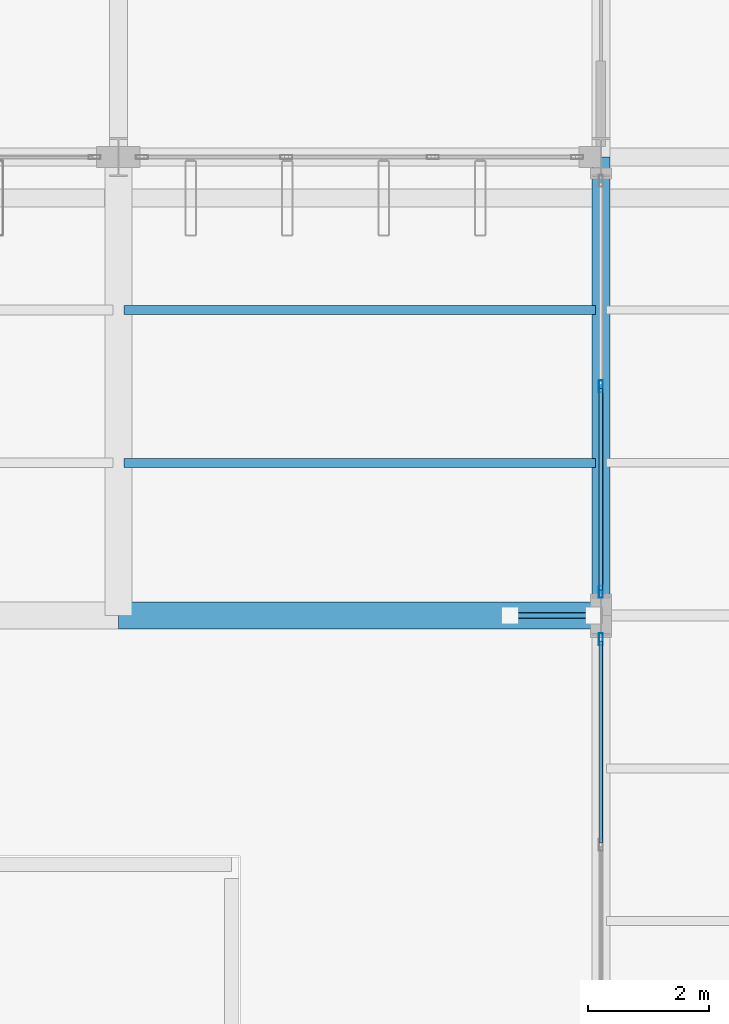
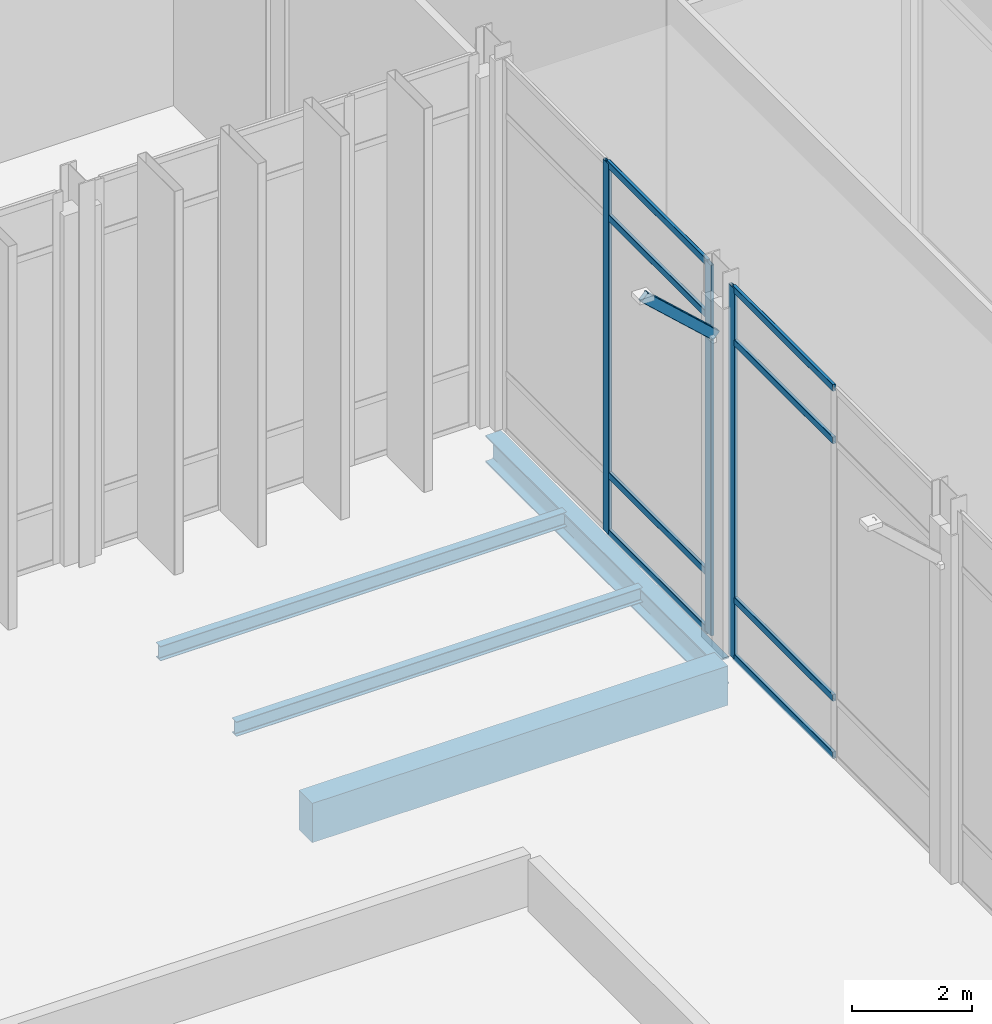
# One storey, part 46 of 176: 12 members, 4 beams, 2 elements without a shape of their own.
"""IFC4 building model written with IfcOpenShell, lengths in metres."""

from ifc_helpers import new_model, si_unit, direction, frame, origin, origin_2d, place, context, subcontext, project, spatial, rectangle, hollow_rectangle, i_section, extrude, material, layer, layer_set, material_profile, profile_set, type_object, element, aggregate, save


model = new_model("IFC4")

# Units and contexts
model_context = context("Model", 3, precision=1e-05, world=origin(), true_north=direction((0.0, 1.0)))
body_context = subcontext(model_context, "Body", "Model", "MODEL_VIEW")
ifc_project = project(units=[si_unit("LENGTHUNIT", "METRE"), si_unit("AREAUNIT", "SQUARE_METRE"), si_unit("VOLUMEUNIT", "CUBIC_METRE"), si_unit("PLANEANGLEUNIT", "RADIAN"), si_unit("MASSUNIT", "GRAM", prefix="KILO")], contexts=[model_context])

# Site, building, storey
site_placement = place(None, origin())
site = spatial("IfcSite", under=ifc_project, at=site_placement, CompositionType="ELEMENT")
building_placement = place(site_placement, origin())
building = spatial("IfcBuilding", under=site, at=building_placement, Name="Vekula Escarpment Museum", CompositionType="ELEMENT")
storey_placement = place(building_placement, origin())
storey = spatial("IfcBuildingStorey", under=building, at=storey_placement, Name="L01", CompositionType="ELEMENT", Elevation=0.0)

# Beams
ifc_material_1 = material(Name="Steel S355", Category="steel")
ifc_material_profile_1 = material_profile(ifc_material_1, i_section(OverallWidth=0.300048828125, OverallDepth=0.550048828125, WebThickness=0.014892578125, FlangeThickness=0.029052734375, FilletRadius=0.027099609375, at=origin_2d()), Name="HEB 550")
ifc_profile_set_1 = profile_set([ifc_material_profile_1], Name="Steel S355")
beam_type_1 = type_object("IfcBeamType", Name="BM-GIRD-HEB550", PredefinedType="BEAM", material=ifc_profile_set_1)
beam_1_placement = place(storey_placement, frame((94.0, 38.0, -0.574951171875), z_axis=(0.0, 1.0, 0.0), x_axis=(-1.0, 0.0, 0.0)))
element("IfcBeam", 1, at=beam_1_placement, inside=storey, type_object=beam_type_1, Name="Beam Y L01 0581", PredefinedType="BEAM", context=body_context, shape_type="SweptSolid", body=[
    extrude(i_section(OverallWidth=0.300048828125, OverallDepth=0.550048828125, WebThickness=0.014892578125, FlangeThickness=0.029052734375, FilletRadius=0.027099609375, at=origin_2d()), origin(), (0.0, 0.0, 1.0), 7.60009765625),
])
ifc_material_2 = material(Name="Steel S355", Category="steel")
ifc_material_profile_2 = material_profile(ifc_material_2, i_section(OverallWidth=0.14990234375, OverallDepth=0.300048828125, WebThickness=0.007080078125, FlangeThickness=0.0107421875, FilletRadius=0.014892578125, at=origin_2d()), Name="IPE 300")
ifc_profile_set_2 = profile_set([ifc_material_profile_2], Name="Steel S355")
beam_type_2 = type_object("IfcBeamType", Name="BM-JST-IPE300", PredefinedType="JOIST", material=ifc_profile_set_2)
for number, where, z_axis, x_axis, name in (
    (2, (86.090087890625, 40.533203125, -0.449951171875), (1.0, 0.0, 0.0), (0.0, 1.0, 0.0), "Secondary Joist L01 0273"),
    (3, (86.090087890625, 43.066650390625, -0.449951171875), (1.0, 0.0, 0.0), (0.0, 1.0, 0.0), "Secondary Joist L01 0274"),
):
    element("IfcBeam", number, at=place(storey_placement, frame(where, z_axis=z_axis, x_axis=x_axis)), inside=storey, type_object=beam_type_2, Name=name, PredefinedType="JOIST", context=body_context, shape_type="SweptSolid", body=[
        extrude(i_section(OverallWidth=0.14990234375, OverallDepth=0.300048828125, WebThickness=0.007080078125, FlangeThickness=0.0107421875, FilletRadius=0.014892578125, at=origin_2d()), origin(), (0.0, 0.0, 1.0), 7.81982421875),
    ])
ifc_material_3 = material(Name="Concrete C35/45", Category="concrete")
ifc_material_profile_3 = material_profile(ifc_material_3, rectangle(XDim=0.449951171875, YDim=0.800048828125, at=origin_2d()), Name="RC 450x800")
ifc_profile_set_3 = profile_set([ifc_material_profile_3], Name="Concrete C35/45")
beam_type_3 = type_object("IfcBeamType", Name="BM-PLINTH-RC", PredefinedType="BEAM", material=ifc_profile_set_3)
beam_2_placement = place(storey_placement, frame((86.0, 38.0, -0.699951171875), z_axis=(1.0, 0.0, 0.0), x_axis=(0.0, 1.0, 0.0)))
element("IfcBeam", 4, at=beam_2_placement, inside=storey, type_object=beam_type_3, Name="Beam X L01 0108", PredefinedType="BEAM", context=body_context, shape_type="SweptSolid", body=[
    extrude(rectangle(XDim=0.449951171875, YDim=0.800048828125, at=origin_2d()), origin(), (0.0, 0.0, 1.0), 8.0),
])

# Curtain wall, members
ifc_material_4 = material(Name="Aluminium thermally broken framing", Category="aluminium")
ifc_layer_1 = layer(ifc_material_4, 0.179931640625)
ifc_layer_set_1 = layer_set([ifc_layer_1], Name="Aluminium thermally broken framing")
curtain_wall_type_1 = type_object("IfcCurtainWallType", Name="CW-SYS-07", PredefinedType="NOTDEFINED", material=ifc_layer_set_1)
curtain_wall_1_placement = place(storey_placement, origin())
curtain_wall_1 = element("IfcCurtainWall", 5, at=curtain_wall_1_placement, inside=storey, type_object=curtain_wall_type_1, Name="Curtain Wall CW-L01-047", PredefinedType="NOTDEFINED")
ifc_material_5 = material(Name="Aluminium anodized mullion", Category="aluminium")
ifc_material_profile_4 = material_profile(ifc_material_5, hollow_rectangle(XDim=0.06494140625, YDim=0.199951171875, WallThickness=0.00390625, InnerFilletRadius=0.00390625, OuterFilletRadius=0.008056640625, at=origin_2d()), Name="ALU 200x65x4")
ifc_profile_set_4 = profile_set([ifc_material_profile_4], Name="Aluminium anodized mullion")
member_type_1 = type_object("IfcMemberType", Name="CW-MUL-200", PredefinedType="MULLION", material=ifc_profile_set_4)
member_1_placement = place(storey_placement, frame((94.0, 41.800048828125, 0.0), z_axis=(0.0, 0.0, 1.0), x_axis=(1.0, 0.0, 0.0)))
member_1 = element("IfcMember", 6, at=member_1_placement, type_object=member_type_1, Name="CW-07 mullion 2", PredefinedType="MULLION", context=body_context, shape_type="SweptSolid", body=[
    extrude(hollow_rectangle(XDim=0.06494140625, YDim=0.199951171875, WallThickness=0.00390625, InnerFilletRadius=0.00390625, OuterFilletRadius=0.008056640625, at=origin_2d()), origin(), (0.0, 0.0, 1.0), 7.5400390625),
])
member_2_placement = place(storey_placement, frame((94.0, 38.392578125, 0.0), z_axis=(0.0, 0.0, 1.0), x_axis=(1.0, 0.0, 0.0)))
member_2 = element("IfcMember", 7, at=member_2_placement, type_object=member_type_1, Name="CW-07 mullion 3", PredefinedType="MULLION", context=body_context, shape_type="SweptSolid", body=[
    extrude(hollow_rectangle(XDim=0.06494140625, YDim=0.199951171875, WallThickness=0.00390625, InnerFilletRadius=0.00390625, OuterFilletRadius=0.008056640625, at=origin_2d()), origin(), (0.0, 0.0, 1.0), 7.5400390625),
])

# Curtain wall, member
ifc_material_6 = material(Name="Aluminium thermally broken framing", Category="aluminium")
ifc_layer_2 = layer(ifc_material_6, 0.179931640625)
ifc_layer_set_2 = layer_set([ifc_layer_2], Name="Aluminium thermally broken framing")
curtain_wall_type_2 = type_object("IfcCurtainWallType", Name="CW-SYS-08", PredefinedType="NOTDEFINED", material=ifc_layer_set_2)
curtain_wall_2_placement = place(storey_placement, origin())
curtain_wall_2 = element("IfcCurtainWall", 8, at=curtain_wall_2_placement, inside=storey, type_object=curtain_wall_type_2, Name="Curtain Wall CW-L01-048", PredefinedType="NOTDEFINED")
member_3_placement = place(storey_placement, frame((94.0, 37.607421875, 0.0), z_axis=(0.0, 0.0, 1.0), x_axis=(1.0, 0.0, 0.0)))
member_3 = element("IfcMember", 9, at=member_3_placement, type_object=member_type_1, Name="CW-08 mullion 1", PredefinedType="MULLION", context=body_context, shape_type="SweptSolid", body=[
    extrude(hollow_rectangle(XDim=0.06494140625, YDim=0.199951171875, WallThickness=0.00390625, InnerFilletRadius=0.00390625, OuterFilletRadius=0.008056640625, at=origin_2d()), origin(), (0.0, 0.0, 1.0), 7.5400390625),
])

# Member
ifc_material_7 = material(Name="Aluminium anodized transom", Category="aluminium")
ifc_material_profile_5 = material_profile(ifc_material_7, hollow_rectangle(XDim=0.06494140625, YDim=0.139892578125, WallThickness=0.00390625, InnerFilletRadius=0.00390625, OuterFilletRadius=0.008056640625, at=origin_2d()), Name="ALU 140x65x4")
ifc_profile_set_5 = profile_set([ifc_material_profile_5], Name="Aluminium anodized transom")
member_type_2 = type_object("IfcMemberType", Name="CW-TRN-140", PredefinedType="USERDEFINED", material=ifc_profile_set_5)
member_4_placement = place(storey_placement, frame((94.0, 41.767578125, 0.032470703125), z_axis=(0.0, -1.0, 0.0), x_axis=(1.0, 0.0, 0.0)))
member_4 = element("IfcMember", 10, at=member_4_placement, type_object=member_type_2, Name="CW-07 transom 2.1", ObjectType="TRANSOM", PredefinedType="USERDEFINED", context=body_context, shape_type="SweptSolid", body=[
    extrude(hollow_rectangle(XDim=0.06494140625, YDim=0.139892578125, WallThickness=0.00390625, InnerFilletRadius=0.00390625, OuterFilletRadius=0.008056640625, at=origin_2d()), origin(), (0.0, 0.0, 1.0), 3.342529296875),
])

member_5_placement = place(storey_placement, frame((94.0, 41.767578125, 1.199951171875), z_axis=(0.0, -1.0, 0.0), x_axis=(1.0, 0.0, 0.0)))
member_5 = element("IfcMember", 11, at=member_5_placement, type_object=member_type_2, Name="CW-07 transom 2.2", ObjectType="TRANSOM", PredefinedType="USERDEFINED", context=body_context, shape_type="SweptSolid", body=[
    extrude(hollow_rectangle(XDim=0.06494140625, YDim=0.139892578125, WallThickness=0.00390625, InnerFilletRadius=0.00390625, OuterFilletRadius=0.008056640625, at=origin_2d()), origin(), (0.0, 0.0, 1.0), 3.342529296875),
])

member_6_placement = place(storey_placement, frame((94.0, 41.767578125, 6.43994140625), z_axis=(0.0, -1.0, 0.0), x_axis=(1.0, 0.0, 0.0)))
member_6 = element("IfcMember", 12, at=member_6_placement, type_object=member_type_2, Name="CW-07 transom 2.3", ObjectType="TRANSOM", PredefinedType="USERDEFINED", context=body_context, shape_type="SweptSolid", body=[
    extrude(hollow_rectangle(XDim=0.06494140625, YDim=0.139892578125, WallThickness=0.00390625, InnerFilletRadius=0.00390625, OuterFilletRadius=0.008056640625, at=origin_2d()), origin(), (0.0, 0.0, 1.0), 3.342529296875),
])

member_7_placement = place(storey_placement, frame((94.0, 41.767578125, 7.507568359375), z_axis=(0.0, -1.0, 0.0), x_axis=(1.0, 0.0, 0.0)))
member_7 = element("IfcMember", 13, at=member_7_placement, type_object=member_type_2, Name="CW-07 transom 2.4", ObjectType="TRANSOM", PredefinedType="USERDEFINED", context=body_context, shape_type="SweptSolid", body=[
    extrude(hollow_rectangle(XDim=0.06494140625, YDim=0.139892578125, WallThickness=0.00390625, InnerFilletRadius=0.00390625, OuterFilletRadius=0.008056640625, at=origin_2d()), origin(), (0.0, 0.0, 1.0), 3.342529296875),
])

aggregate(curtain_wall_1, [member_1, member_2, member_4, member_5, member_6, member_7])

member_8_placement = place(storey_placement, frame((94.0, 37.574951171875, 0.032470703125), z_axis=(0.0, -1.0, 0.0), x_axis=(1.0, 0.0, 0.0)))
member_8 = element("IfcMember", 14, at=member_8_placement, type_object=member_type_2, Name="CW-08 transom 1.1", ObjectType="TRANSOM", PredefinedType="USERDEFINED", context=body_context, shape_type="SweptSolid", body=[
    extrude(hollow_rectangle(XDim=0.06494140625, YDim=0.139892578125, WallThickness=0.00390625, InnerFilletRadius=0.00390625, OuterFilletRadius=0.008056640625, at=origin_2d()), origin(), (0.0, 0.0, 1.0), 3.342529296875),
])

member_9_placement = place(storey_placement, frame((94.0, 37.574951171875, 1.199951171875), z_axis=(0.0, -1.0, 0.0), x_axis=(1.0, 0.0, 0.0)))
member_9 = element("IfcMember", 15, at=member_9_placement, type_object=member_type_2, Name="CW-08 transom 1.2", ObjectType="TRANSOM", PredefinedType="USERDEFINED", context=body_context, shape_type="SweptSolid", body=[
    extrude(hollow_rectangle(XDim=0.06494140625, YDim=0.139892578125, WallThickness=0.00390625, InnerFilletRadius=0.00390625, OuterFilletRadius=0.008056640625, at=origin_2d()), origin(), (0.0, 0.0, 1.0), 3.342529296875),
])

member_10_placement = place(storey_placement, frame((94.0, 37.574951171875, 6.43994140625), z_axis=(0.0, -1.0, 0.0), x_axis=(1.0, 0.0, 0.0)))
member_10 = element("IfcMember", 16, at=member_10_placement, type_object=member_type_2, Name="CW-08 transom 1.3", ObjectType="TRANSOM", PredefinedType="USERDEFINED", context=body_context, shape_type="SweptSolid", body=[
    extrude(hollow_rectangle(XDim=0.06494140625, YDim=0.139892578125, WallThickness=0.00390625, InnerFilletRadius=0.00390625, OuterFilletRadius=0.008056640625, at=origin_2d()), origin(), (0.0, 0.0, 1.0), 3.342529296875),
])

member_11_placement = place(storey_placement, frame((94.0, 37.574951171875, 7.507568359375), z_axis=(0.0, -1.0, 0.0), x_axis=(1.0, 0.0, 0.0)))
member_11 = element("IfcMember", 17, at=member_11_placement, type_object=member_type_2, Name="CW-08 transom 1.4", ObjectType="TRANSOM", PredefinedType="USERDEFINED", context=body_context, shape_type="SweptSolid", body=[
    extrude(hollow_rectangle(XDim=0.06494140625, YDim=0.139892578125, WallThickness=0.00390625, InnerFilletRadius=0.00390625, OuterFilletRadius=0.008056640625, at=origin_2d()), origin(), (0.0, 0.0, 1.0), 3.342529296875),
])

aggregate(curtain_wall_2, [member_3, member_8, member_9, member_10, member_11])

ifc_material_8 = material(Name="Steel S355", Category="steel")
ifc_material_profile_6 = material_profile(ifc_material_8, hollow_rectangle(XDim=0.10009765625, YDim=0.199951171875, WallThickness=0.008056640625, InnerFilletRadius=0.008056640625, OuterFilletRadius=0.01611328125, at=origin_2d()), Name="RHS 200x100x8")
ifc_profile_set_6 = profile_set([ifc_material_profile_6], Name="Steel S355")
member_type_3 = type_object("IfcMemberType", Name="MB-SACAK-BRK", PredefinedType="STRUT", material=ifc_profile_set_6)
member_12_placement = place(storey_placement, frame((93.8798828125, 38.0, 6.35009765625), z_axis=(-0.738454378718, 0.0, 0.674303441006), x_axis=(0.0, -1.0, 0.0)))
element("IfcMember", 18, at=member_12_placement, inside=storey, type_object=member_type_3, Name="Ottoman Sacak Eave Bracket L02-0015", PredefinedType="STRUT", context=body_context, shape_type="SweptSolid", body=[
    extrude(hollow_rectangle(XDim=0.10009765625, YDim=0.199951171875, WallThickness=0.008056640625, InnerFilletRadius=0.008056640625, OuterFilletRadius=0.01611328125, at=origin_2d()), origin(), (0.0, 0.0, 1.0), 1.86865234375),
])

save(model, "model.ifc")
